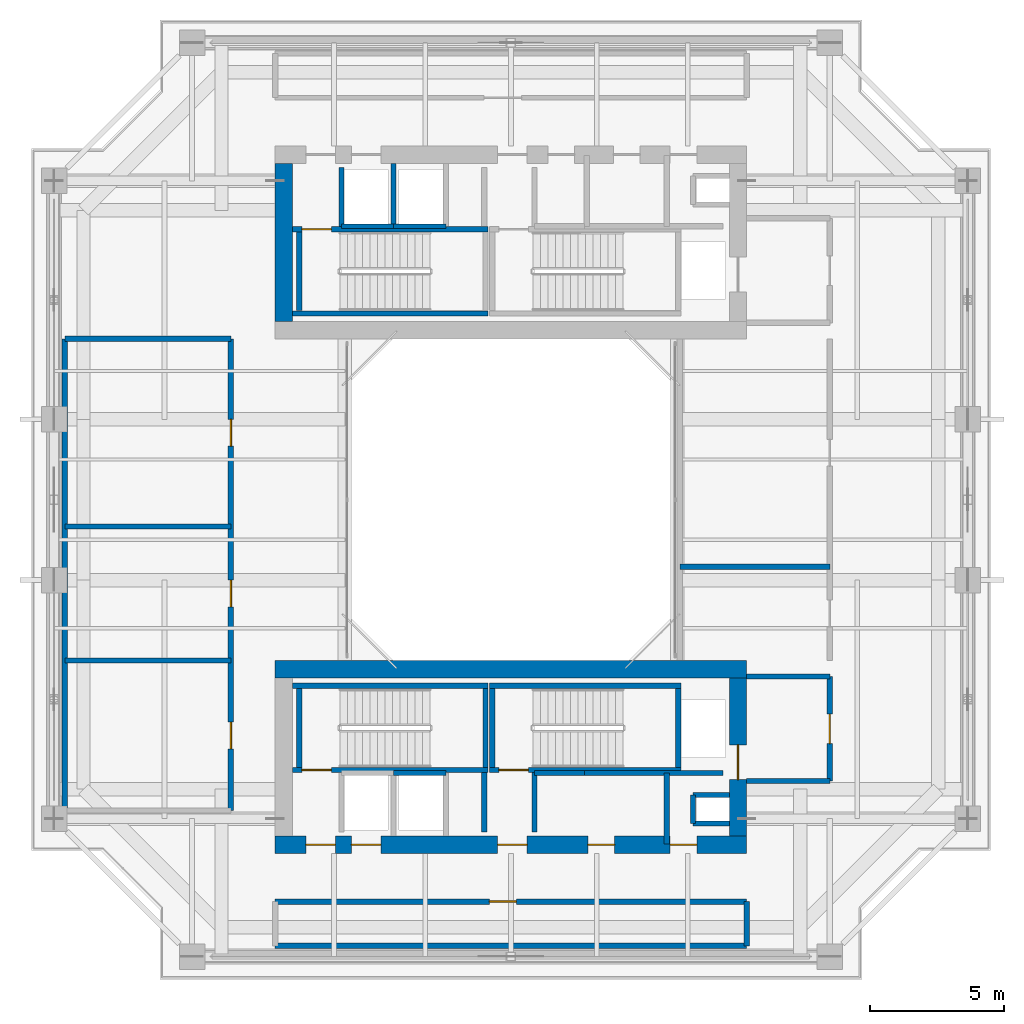
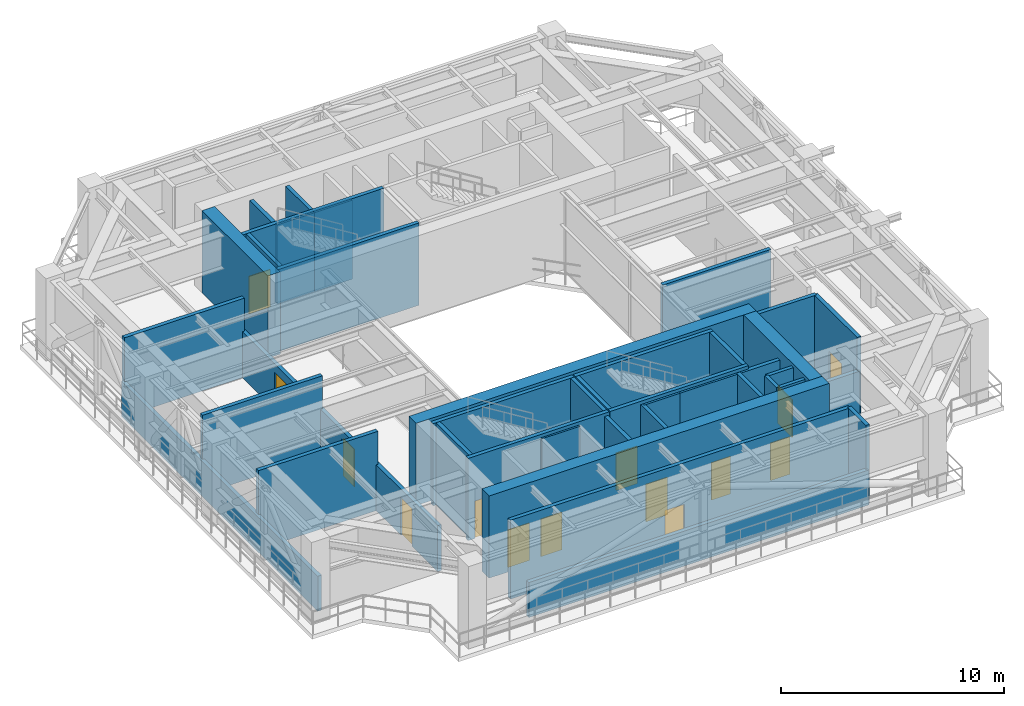
# One storey, part 6 of 11: 40 walls, 14 doors, 14 openings.
"""IFC4 building model written with IfcOpenShell, lengths in metres."""

from ifc_helpers import new_model, si_unit, direction, frame, frame_2d, origin, place, context, subcontext, project, spatial, rectangle, extrude, source, transform, mapped, material, layer, layer_set, type_object, element, fill, save


model = new_model("IFC4")

# Units and contexts
model_context = context("Model", 3, precision=1e-05, world=origin(), true_north=direction((0.0, 1.0)))
body_context = subcontext(model_context, "Body", "Model", "MODEL_VIEW")
ifc_project = project(units=[si_unit("LENGTHUNIT", "METRE"), si_unit("AREAUNIT", "SQUARE_METRE"), si_unit("VOLUMEUNIT", "CUBIC_METRE"), si_unit("PLANEANGLEUNIT", "RADIAN"), si_unit("MASSUNIT", "GRAM", prefix="KILO"), si_unit("THERMODYNAMICTEMPERATUREUNIT", "KELVIN"), si_unit("POWERUNIT", "WATT")], contexts=[model_context])

# Site, building, storey
site_placement = place(None, origin())
site = spatial("IfcSite", under=ifc_project, at=site_placement, CompositionType="ELEMENT")
building_placement = place(site_placement, origin())
building = spatial("IfcBuilding", under=site, at=building_placement, Name="Qiaomeng Ring Towers", CompositionType="ELEMENT")
storey_placement = place(building_placement, frame((0.0, 0.0, 186.0)))
storey = spatial("IfcBuildingStorey", under=building, at=storey_placement, Name="L54", CompositionType="ELEMENT", Elevation=186.0)

# Walls
ifc_material_1 = material(Name="Autoclaved aerated concrete block", Category="concrete")
ifc_layer_1 = layer(ifc_material_1, 0.199951171875, Name="Autoclaved aerated concrete block")
ifc_layer_set_1 = layer_set([ifc_layer_1], Name="Autoclaved aerated concrete block")
wall_type_1 = type_object("IfcWallType", Name="ARC-WL-PW1", PredefinedType="PARTITIONING", material=ifc_layer_set_1)
wall_1_placement = place(storey_placement, frame((27.800048828125, 16.39990234375, 0.0), z_axis=(0.0, 0.0, 1.0), x_axis=(1.0, 0.0, 0.0)))
element("IfcWall", 1, at=wall_1_placement, inside=storey, type_object=wall_type_1, Name="L54 Interior Wall PW1", PredefinedType="PARTITIONING", context=body_context, shape_type="SweptSolid", body=[
    extrude(rectangle(XDim=3.099853515625, YDim=0.199951171875, at=frame_2d((1.5498046875, 0.0))), origin(), (0.0, 0.0, 1.0), 4.320068359375),
])
wall_2_placement = place(storey_placement, frame((27.800048828125, 12.5, 0.0), z_axis=(0.0, 0.0, 1.0), x_axis=(1.0, 0.0, 0.0)))
element("IfcWall", 2, at=wall_2_placement, inside=storey, type_object=wall_type_1, Name="L54 Interior Wall PW1", PredefinedType="PARTITIONING", context=body_context, shape_type="SweptSolid", body=[
    extrude(rectangle(XDim=3.099853515625, YDim=0.199951171875, at=frame_2d((1.5498046875, 0.0))), origin(), (0.0, 0.0, 1.0), 2.514892578125),
])

# Wall, opening, door
wall_3_placement = place(storey_placement, frame((30.89990234375, 12.5, 0.0), z_axis=(0.0, 0.0, 1.0), x_axis=(0.0, 1.0, 0.0)))
wall_3 = element("IfcWall", 3, at=wall_3_placement, inside=storey, type_object=wall_type_1, Name="L54 Interior Wall PW1", PredefinedType="PARTITIONING", context=body_context, shape_type="SweptSolid", body=[
    extrude(rectangle(XDim=3.89990234375, YDim=0.199951171875, at=frame_2d((1.949951171875, 0.0))), origin(), (0.0, 0.0, 1.0), 4.320068359375),
])
opening_1_placement = place(wall_3_placement, frame((1.39990234375, 0.0, 0.0)))
opening_1 = element("IfcOpeningElement", 4, at=opening_1_placement, cuts=wall_3, Name="Opening FD3", PredefinedType="OPENING", context=body_context, shape_type="SweptSolid", body=[
    extrude(rectangle(XDim=1.10009765625, YDim=2.050048828125, at=frame_2d((0.550048828125, 1.02490234375))), frame((0.0, 0.10986328125, 0.0), z_axis=(0.0, -1.0, 0.0), x_axis=(1.0, 0.0, 0.0)), (0.0, 0.0, 1.0), 0.219970703125),
])
ifc_material_2 = material(Name="Galvanised steel", Category="steel")
door_type_1 = type_object("IfcDoorType", Name="ARC-DR-FD3", OperationType="NOTDEFINED", PredefinedType="DOOR", material=ifc_material_2)
shared_shape_1 = source(origin(), body_context, "Body", "SweptSolid", [
    extrude(rectangle(XDim=1.10009765625, YDim=2.050048828125, at=frame_2d((0.550048828125, 1.02490234375))), frame((0.0, 0.02490234375, 0.0), z_axis=(0.0, -1.0, 0.0), x_axis=(1.0, 0.0, 0.0)), (0.0, 0.0, 1.0), 0.050048828125),
])
door_1_placement = place(opening_1_placement, origin())
door_1 = element("IfcDoor", 5, at=door_1_placement, inside=storey, type_object=door_type_1, Name="L54 South FF Lobby Door", OperationType="SINGLE_SWING_RIGHT", OverallHeight=2.050048828125, OverallWidth=1.10009765625, PredefinedType="DOOR", context=body_context, shape_type="MappedRepresentation", body=[
    mapped(shared_shape_1, transform((0.0, 0.0, 0.0), x_axis=(1.0, 0.0, 0.0), y_axis=(0.0, 1.0, 0.0), z_axis=(0.0, 0.0, 1.0), scale=1.0)),
])
fill(opening_1, door_1)

# Walls
for number, where, z_axis, x_axis, name in (
    (6, (12.679931640625, 33.18994140625, 0.0), (0.0, 0.0, 1.0), (0.0, 1.0, 0.0), "L54 Interior Wall PW1"),
    (7, (18.0, 10.60009765625, 0.0), (0.0, 0.0, 1.0), (0.0, 1.0, 0.0), "L54 Interior Wall PW1"),
    (8, (19.8798828125, 10.60009765625, 0.0), (0.0, 0.0, 1.0), (0.0, 1.0, 0.0), "L54 Interior Wall PW1"),
):
    element("IfcWall", number, at=place(storey_placement, frame(where, z_axis=z_axis, x_axis=x_axis)), inside=storey, type_object=wall_type_1, Name=name, PredefinedType="PARTITIONING", context=body_context, shape_type="SweptSolid", body=[
        extrude(rectangle(XDim=2.2099609375, YDim=0.199951171875, at=frame_2d((1.10498046875, 0.0))), origin(), (0.0, 0.0, 1.0), 4.320068359375),
    ])
wall_4_placement = place(storey_placement, frame((24.820068359375, 10.14990234375, 0.0), z_axis=(0.0, 0.0, 1.0), x_axis=(0.0, 1.0, 0.0)))
element("IfcWall", 9, at=wall_4_placement, inside=storey, type_object=wall_type_1, Name="L54 Interior Wall PW1", PredefinedType="PARTITIONING", context=body_context, shape_type="SweptSolid", body=[
    extrude(rectangle(XDim=2.650146484375, YDim=0.199951171875, at=frame_2d((1.3251953125, 0.0))), origin(), (0.0, 0.0, 1.0), 4.320068359375),
])
wall_5_placement = place(storey_placement, frame((19.8798828125, 12.800048828125, 0.0), z_axis=(0.0, 0.0, 1.0), x_axis=(1.0, 0.0, 0.0)))
element("IfcWall", 10, at=wall_5_placement, inside=storey, type_object=wall_type_1, Name="L54 Interior Wall PW1", PredefinedType="PARTITIONING", context=body_context, shape_type="SweptSolid", body=[
    extrude(rectangle(XDim=1.8701171875, YDim=0.199951171875, at=frame_2d((0.93505859375, 0.0))), origin(), (0.0, 0.0, 1.0), 4.320068359375),
])
wall_6_placement = place(storey_placement, frame((21.75, 12.800048828125, 0.0), z_axis=(0.0, 0.0, 1.0), x_axis=(1.0, 0.0, 0.0)))
element("IfcWall", 11, at=wall_6_placement, inside=storey, type_object=wall_type_1, Name="L54 Interior Wall PW1", PredefinedType="PARTITIONING", context=body_context, shape_type="SweptSolid", body=[
    extrude(rectangle(XDim=5.169921875, YDim=0.199951171875, at=frame_2d((2.5849609375, 0.0))), origin(), (0.0, 0.0, 1.0), 4.320068359375),
])

# Wall, opening, door
wall_7_placement = place(storey_placement, frame((10.199951171875, 8.0, 0.0), z_axis=(0.0, 0.0, 1.0), x_axis=(1.0, 0.0, 0.0)))
wall_7 = element("IfcWall", 12, at=wall_7_placement, inside=storey, type_object=wall_type_1, Name="L54 Interior Wall PW1", PredefinedType="PARTITIONING", context=body_context, shape_type="SweptSolid", body=[
    extrude(rectangle(XDim=17.60009765625, YDim=0.199951171875, at=frame_2d((8.800048828125, 0.0))), origin(), (0.0, 0.0, 1.0), 4.320068359375),
])
opening_2_placement = place(wall_7_placement, frame((8.0, 0.0, 0.0)))
opening_2 = element("IfcOpeningElement", 13, at=opening_2_placement, cuts=wall_7, Name="Opening FD1", PredefinedType="OPENING", context=body_context, shape_type="SweptSolid", body=[
    extrude(rectangle(XDim=1.0, YDim=2.050048828125, at=frame_2d((0.5, 1.02490234375))), frame((0.0, 0.10986328125, 0.0), z_axis=(0.0, -1.0, 0.0), x_axis=(1.0, 0.0, 0.0)), (0.0, 0.0, 1.0), 0.219970703125),
])
door_type_2 = type_object("IfcDoorType", Name="ARC-DR-FD1", OperationType="NOTDEFINED", PredefinedType="DOOR", material=ifc_material_2)
shared_shape_2 = source(origin(), body_context, "Body", "SweptSolid", [
    extrude(rectangle(XDim=1.0, YDim=2.050048828125, at=frame_2d((0.5, 1.02490234375))), frame((0.0, 0.02490234375, 0.0), z_axis=(0.0, -1.0, 0.0), x_axis=(1.0, 0.0, 0.0)), (0.0, 0.0, 1.0), 0.050048828125),
])
door_2_placement = place(opening_2_placement, origin())
door_2 = element("IfcDoor", 14, at=door_2_placement, inside=storey, type_object=door_type_2, Name="L54 Door FD1", OperationType="SINGLE_SWING_LEFT", OverallHeight=2.050048828125, OverallWidth=1.0, PredefinedType="DOOR", context=body_context, shape_type="MappedRepresentation", body=[
    mapped(shared_shape_2, transform((0.0, 0.0, 0.0), x_axis=(1.0, 0.0, 0.0), y_axis=(0.0, 1.0, 0.0), z_axis=(0.0, 0.0, 1.0), scale=1.0)),
])
fill(opening_2, door_2)

# Wall, openings, doors
wall_8_placement = place(storey_placement, frame((8.550048828125, 11.39990234375, 0.0), z_axis=(0.0, 0.0, 1.0), x_axis=(0.0, 1.0, 0.0)))
wall_8 = element("IfcWall", 15, at=wall_8_placement, inside=storey, type_object=wall_type_1, Name="L54 Interior Wall PW1", PredefinedType="PARTITIONING", context=body_context, shape_type="SweptSolid", body=[
    extrude(rectangle(XDim=17.60009765625, YDim=0.199951171875, at=frame_2d((8.800048828125, 0.0))), origin(), (0.0, 0.0, 1.0), 2.514892578125),
])
opening_3_placement = place(wall_8_placement, frame((7.60009765625, 0.0, 0.0)))
opening_3 = element("IfcOpeningElement", 16, at=opening_3_placement, cuts=wall_8, Name="Opening FD1", PredefinedType="OPENING", context=body_context, shape_type="SweptSolid", body=[
    extrude(rectangle(XDim=1.0, YDim=2.050048828125, at=frame_2d((0.5, 1.02490234375))), frame((0.0, 0.10986328125, 0.0), z_axis=(0.0, -1.0, 0.0), x_axis=(1.0, 0.0, 0.0)), (0.0, 0.0, 1.0), 0.219970703125),
])
opening_4_placement = place(wall_8_placement, frame((13.60009765625, 0.0, 0.0)))
opening_4 = element("IfcOpeningElement", 17, at=opening_4_placement, cuts=wall_8, Name="Opening FD1", PredefinedType="OPENING", context=body_context, shape_type="SweptSolid", body=[
    extrude(rectangle(XDim=1.0, YDim=2.050048828125, at=frame_2d((0.5, 1.02490234375))), frame((0.0, 0.10986328125, 0.0), z_axis=(0.0, -1.0, 0.0), x_axis=(1.0, 0.0, 0.0)), (0.0, 0.0, 1.0), 0.219970703125),
])
opening_5_placement = place(wall_8_placement, frame((2.300048828125, 0.0, 0.0)))
opening_5 = element("IfcOpeningElement", 18, at=opening_5_placement, cuts=wall_8, Name="Opening FD1", PredefinedType="OPENING", context=body_context, shape_type="SweptSolid", body=[
    extrude(rectangle(XDim=1.0, YDim=2.050048828125, at=frame_2d((0.5, 1.02490234375))), frame((0.0, 0.10986328125, 0.0), z_axis=(0.0, -1.0, 0.0), x_axis=(1.0, 0.0, 0.0)), (0.0, 0.0, 1.0), 0.219970703125),
])
door_3_placement = place(opening_3_placement, origin())
door_3 = element("IfcDoor", 19, at=door_3_placement, inside=storey, type_object=door_type_2, Name="L54 Door FD1", OperationType="SINGLE_SWING_RIGHT", OverallHeight=2.050048828125, OverallWidth=1.0, PredefinedType="DOOR", context=body_context, shape_type="MappedRepresentation", body=[
    mapped(shared_shape_2, transform((0.0, 0.0, 0.0), x_axis=(1.0, 0.0, 0.0), y_axis=(0.0, 1.0, 0.0), z_axis=(0.0, 0.0, 1.0), scale=1.0)),
])
fill(opening_3, door_3)
door_4_placement = place(opening_4_placement, origin())
door_4 = element("IfcDoor", 20, at=door_4_placement, inside=storey, type_object=door_type_2, Name="L54 Door FD1", OperationType="SINGLE_SWING_LEFT", OverallHeight=2.050048828125, OverallWidth=1.0, PredefinedType="DOOR", context=body_context, shape_type="MappedRepresentation", body=[
    mapped(shared_shape_2, transform((0.0, 0.0, 0.0), x_axis=(1.0, 0.0, 0.0), y_axis=(0.0, 1.0, 0.0), z_axis=(0.0, 0.0, 1.0), scale=1.0)),
])
fill(opening_4, door_4)
door_5_placement = place(opening_5_placement, origin())
door_5 = element("IfcDoor", 21, at=door_5_placement, inside=storey, type_object=door_type_2, Name="L54 Door FD1", OperationType="SINGLE_SWING_RIGHT", OverallHeight=2.050048828125, OverallWidth=1.0, PredefinedType="DOOR", context=body_context, shape_type="MappedRepresentation", body=[
    mapped(shared_shape_2, transform((0.0, 0.0, 0.0), x_axis=(1.0, 0.0, 0.0), y_axis=(0.0, 1.0, 0.0), z_axis=(0.0, 0.0, 1.0), scale=1.0)),
])
fill(opening_5, door_5)

# Walls
for number, where, z_axis, x_axis, name in (
    (22, (2.35009765625, 17.0, 0.0), (0.0, 0.0, 1.0), (1.0, 0.0, 0.0), "L54 Interior Wall PW1"),
    (23, (2.35009765625, 22.0, 0.0), (0.0, 0.0, 1.0), (1.0, 0.0, 0.0), "L54 Interior Wall PW1"),
    (24, (2.35009765625, 29.0, 0.0), (0.0, 0.0, 1.0), (1.0, 0.0, 0.0), "L54 Interior Wall PW1"),
):
    element("IfcWall", number, at=place(storey_placement, frame(where, z_axis=z_axis, x_axis=x_axis)), inside=storey, type_object=wall_type_1, Name=name, PredefinedType="PARTITIONING", context=body_context, shape_type="SweptSolid", body=[
        extrude(rectangle(XDim=6.199951171875, YDim=0.199951171875, at=frame_2d((3.10009765625, 0.0))), origin(), (0.0, 0.0, 1.0), 4.320068359375),
    ])
wall_9_placement = place(storey_placement, frame((2.35009765625, 11.39990234375, 0.0), z_axis=(0.0, 0.0, 1.0), x_axis=(0.0, 1.0, 0.0)))
element("IfcWall", 25, at=wall_9_placement, inside=storey, type_object=wall_type_1, Name="L54 Interior Wall PW1", PredefinedType="PARTITIONING", context=body_context, shape_type="SweptSolid", body=[
    extrude(rectangle(XDim=17.60009765625, YDim=0.199951171875, at=frame_2d((8.800048828125, 0.0))), origin(), (0.0, 0.0, 1.0), 1.9150390625),
])
wall_10_placement = place(storey_placement, frame((27.800048828125, 6.35009765625, 0.0), z_axis=(0.0, 0.0, 1.0), x_axis=(0.0, 1.0, 0.0)))
element("IfcWall", 26, at=wall_10_placement, inside=storey, type_object=wall_type_1, Name="L54 Interior Wall PW1", PredefinedType="PARTITIONING", context=body_context, shape_type="SweptSolid", body=[
    extrude(rectangle(XDim=1.64990234375, YDim=0.199951171875, at=frame_2d((0.824951171875, 0.0))), origin(), (0.0, 0.0, 1.0), 4.320068359375),
])
wall_11_placement = place(storey_placement, frame((10.199951171875, 6.35009765625, 0.0), z_axis=(0.0, 0.0, 1.0), x_axis=(1.0, 0.0, 0.0)))
element("IfcWall", 27, at=wall_11_placement, inside=storey, type_object=wall_type_1, Name="L54 Interior Wall PW1", PredefinedType="PARTITIONING", context=body_context, shape_type="SweptSolid", body=[
    extrude(rectangle(XDim=17.60009765625, YDim=0.199951171875, at=frame_2d((8.800048828125, 0.0))), origin(), (0.0, 0.0, 1.0), 1.9150390625),
])
wall_12_placement = place(storey_placement, frame((25.300048828125, 20.5, 0.0), z_axis=(0.0, 0.0, 1.0), x_axis=(1.0, 0.0, 0.0)))
element("IfcWall", 28, at=wall_12_placement, inside=storey, type_object=wall_type_1, Name="L54 Interior Wall PW1", PredefinedType="PARTITIONING", context=body_context, shape_type="SweptSolid", body=[
    extrude(rectangle(XDim=5.599853515625, YDim=0.199951171875, at=frame_2d((2.7998046875, 0.0))), origin(), (0.0, 0.0, 1.0), 4.320068359375),
])
ifc_material_3 = material(Name="Concrete C40", Category="concrete")
ifc_layer_2 = layer(ifc_material_3, 0.199951171875, Name="Concrete C40")
ifc_layer_set_2 = layer_set([ifc_layer_2], Name="Concrete C40")
wall_type_2 = type_object("IfcWallType", Name="STR-WL-STSHAFT", PredefinedType="SHEAR", material=ifc_layer_set_2)
wall_13_placement = place(storey_placement, frame((12.679931640625, 33.199951171875, 0.0), z_axis=(0.0, 0.0, 1.0), x_axis=(1.0, 0.0, 0.0)))
element("IfcWall", 29, at=wall_13_placement, inside=storey, type_object=wall_type_2, Name="L54 Lift LP5 Shaft Back Wall", PredefinedType="SHEAR", context=body_context, shape_type="SweptSolid", body=[
    extrude(rectangle(XDim=1.940185546875, YDim=0.179931640625, at=frame_2d((0.97021484375, 0.0))), origin(), (0.0, 0.0, 1.0), 4.320068359375),
])
wall_14_placement = place(storey_placement, frame((14.6201171875, 33.199951171875, 0.0), z_axis=(0.0, 0.0, 1.0), x_axis=(0.0, 1.0, 0.0)))
element("IfcWall", 30, at=wall_14_placement, inside=storey, type_object=wall_type_2, Name="L54 Lift LP5-LP3 Shaft Divider Wall", PredefinedType="SHEAR", context=body_context, shape_type="SweptSolid", body=[
    extrude(rectangle(XDim=2.35009765625, YDim=0.179931640625, at=frame_2d((1.175048828125, 0.0))), origin(), (0.0, 0.0, 1.0), 4.320068359375),
])
wall_15_placement = place(storey_placement, frame((25.800048828125, 10.919921875, 0.0), z_axis=(0.0, 0.0, 1.0), x_axis=(0.0, 1.0, 0.0)))
element("IfcWall", 31, at=wall_15_placement, inside=storey, type_object=wall_type_2, Name="L54 Riser RSR1 West Shaft Wall S", PredefinedType="SHEAR", context=body_context, shape_type="SweptSolid", body=[
    extrude(rectangle(XDim=1.06005859375, YDim=0.179931640625, at=frame_2d((0.530029296875, 0.0))), origin(), (0.0, 0.0, 1.0), 4.320068359375),
])
for number, where, z_axis, x_axis, name in (
    (32, (25.800048828125, 11.97998046875, 0.0), (0.0, 0.0, 1.0), (1.0, 0.0, 0.0), "L54 Riser RSR1 North Shaft Wall S"),
    (33, (25.800048828125, 10.919921875, 0.0), (0.0, 0.0, 1.0), (1.0, 0.0, 0.0), "L54 Riser RSR1 South Shaft Wall S"),
):
    element("IfcWall", number, at=place(storey_placement, frame(where, z_axis=z_axis, x_axis=x_axis)), inside=storey, type_object=wall_type_2, Name=name, PredefinedType="SHEAR", context=body_context, shape_type="SweptSolid", body=[
        extrude(rectangle(XDim=1.349853515625, YDim=0.179931640625, at=frame_2d((0.6748046875, 0.0))), origin(), (0.0, 0.0, 1.0), 4.320068359375),
    ])
for number, where, z_axis, x_axis, name in (
    (34, (14.6201171875, 33.199951171875, 0.0), (0.0, 0.0, 1.0), (1.0, 0.0, 0.0), "L54 Lift LP3 Shaft Back Wall"),
    (35, (14.6201171875, 12.800048828125, 0.0), (0.0, 0.0, 1.0), (1.0, 0.0, 0.0), "L54 Lift LP4 Shaft Back Wall"),
):
    element("IfcWall", number, at=place(storey_placement, frame(where, z_axis=z_axis, x_axis=x_axis)), inside=storey, type_object=wall_type_2, Name=name, PredefinedType="SHEAR", context=body_context, shape_type="SweptSolid", body=[
        extrude(rectangle(XDim=1.9599609375, YDim=0.179931640625, at=frame_2d((0.97998046875, 0.0))), origin(), (0.0, 0.0, 1.0), 4.320068359375),
    ])
wall_16_placement = place(storey_placement, frame((10.85009765625, 29.949951171875, 0.0), z_axis=(0.0, 0.0, 1.0), x_axis=(1.0, 0.0, 0.0)))
element("IfcWall", 36, at=wall_16_placement, inside=storey, type_object=wall_type_2, Name="L54 Stair ST1 South Shaft Shear Wall", PredefinedType="SHEAR", context=body_context, shape_type="SweptSolid", body=[
    extrude(rectangle(XDim=7.2998046875, YDim=0.199951171875, at=frame_2d((3.64990234375, 0.0))), origin(), (0.0, 0.0, 1.0), 4.5),
])

# Wall, opening, door
wall_17_placement = place(storey_placement, frame((10.85009765625, 33.090087890625, 0.0), z_axis=(0.0, 0.0, 1.0), x_axis=(1.0, 0.0, 0.0)))
wall_17 = element("IfcWall", 37, at=wall_17_placement, inside=storey, type_object=wall_type_2, Name="L54 Stair ST1 North Shaft Shear Wall", PredefinedType="SHEAR", context=body_context, shape_type="SweptSolid", body=[
    extrude(rectangle(XDim=7.2998046875, YDim=0.199951171875, at=frame_2d((3.64990234375, 0.0))), origin(), (0.0, 0.0, 1.0), 4.5),
])
opening_6_placement = place(wall_17_placement, frame((0.35009765625, 0.0, 0.0)))
opening_6 = element("IfcOpeningElement", 38, at=opening_6_placement, cuts=wall_17, Name="Opening FD3", PredefinedType="OPENING", context=body_context, shape_type="SweptSolid", body=[
    extrude(rectangle(XDim=1.10009765625, YDim=2.050048828125, at=frame_2d((0.550048828125, 1.02490234375))), frame((0.0, 0.10986328125, 0.0), z_axis=(0.0, -1.0, 0.0), x_axis=(1.0, 0.0, 0.0)), (0.0, 0.0, 1.0), 0.219970703125),
])
door_6_placement = place(opening_6_placement, origin())
door_6 = element("IfcDoor", 39, at=door_6_placement, inside=storey, type_object=door_type_1, Name="L54 Stair ST1 Exit Door", OperationType="SINGLE_SWING_RIGHT", OverallHeight=2.050048828125, OverallWidth=1.10009765625, PredefinedType="DOOR", context=body_context, shape_type="MappedRepresentation", body=[
    mapped(shared_shape_1, transform((0.0, 0.0, 0.0), x_axis=(1.0, 0.0, 0.0), y_axis=(0.0, 1.0, 0.0), z_axis=(0.0, 0.0, 1.0), scale=1.0)),
])
fill(opening_6, door_6)

# Wall
wall_18_placement = place(storey_placement, frame((11.10009765625, 30.050048828125, 0.0), z_axis=(0.0, 0.0, 1.0), x_axis=(0.0, 1.0, 0.0)))
element("IfcWall", 40, at=wall_18_placement, inside=storey, type_object=wall_type_2, Name="L54 Stair ST1 West Shaft Shear Wall", PredefinedType="SHEAR", context=body_context, shape_type="SweptSolid", body=[
    extrude(rectangle(XDim=2.93994140625, YDim=0.199951171875, at=frame_2d((1.469970703125, 0.0))), origin(), (0.0, 0.0, 1.0), 4.5),
])

# Wall, opening, door
wall_19_placement = place(storey_placement, frame((10.85009765625, 12.909912109375, 0.0), z_axis=(0.0, 0.0, 1.0), x_axis=(1.0, 0.0, 0.0)))
wall_19 = element("IfcWall", 41, at=wall_19_placement, inside=storey, type_object=wall_type_2, Name="L54 Stair ST3 South Shaft Shear Wall", PredefinedType="SHEAR", context=body_context, shape_type="SweptSolid", body=[
    extrude(rectangle(XDim=7.2998046875, YDim=0.199951171875, at=frame_2d((3.64990234375, 0.0))), origin(), (0.0, 0.0, 1.0), 4.5),
])
opening_7_placement = place(wall_19_placement, frame((0.35009765625, 0.0, 0.0)))
opening_7 = element("IfcOpeningElement", 42, at=opening_7_placement, cuts=wall_19, Name="Opening FD3", PredefinedType="OPENING", context=body_context, shape_type="SweptSolid", body=[
    extrude(rectangle(XDim=1.10009765625, YDim=2.050048828125, at=frame_2d((0.550048828125, 1.02490234375))), frame((0.0, 0.10986328125, 0.0), z_axis=(0.0, -1.0, 0.0), x_axis=(1.0, 0.0, 0.0)), (0.0, 0.0, 1.0), 0.219970703125),
])
door_7_placement = place(opening_7_placement, frame((1.10009765625, 0.0, 0.0), z_axis=(0.0, 0.0, 1.0), x_axis=(-1.0, 0.0, 0.0)))
door_7 = element("IfcDoor", 43, at=door_7_placement, inside=storey, type_object=door_type_1, Name="L54 Stair ST3 Exit Door", OperationType="SINGLE_SWING_RIGHT", OverallHeight=2.050048828125, OverallWidth=1.10009765625, PredefinedType="DOOR", context=body_context, shape_type="MappedRepresentation", body=[
    mapped(shared_shape_1, transform((0.0, 0.0, 0.0), x_axis=(1.0, 0.0, 0.0), y_axis=(0.0, 1.0, 0.0), z_axis=(0.0, 0.0, 1.0), scale=1.0)),
])
fill(opening_7, door_7)

# Walls
wall_20_placement = place(storey_placement, frame((10.85009765625, 16.050048828125, 0.0), z_axis=(0.0, 0.0, 1.0), x_axis=(1.0, 0.0, 0.0)))
element("IfcWall", 44, at=wall_20_placement, inside=storey, type_object=wall_type_2, Name="L54 Stair ST3 North Shaft Shear Wall", PredefinedType="SHEAR", context=body_context, shape_type="SweptSolid", body=[
    extrude(rectangle(XDim=7.2998046875, YDim=0.199951171875, at=frame_2d((3.64990234375, 0.0))), origin(), (0.0, 0.0, 1.0), 4.5),
])
for number, where, z_axis, x_axis, name in (
    (45, (11.10009765625, 13.010009765625, 0.0), (0.0, 0.0, 1.0), (0.0, 1.0, 0.0), "L54 Stair ST3 West Shaft Shear Wall"),
    (46, (18.050048828125, 13.010009765625, 0.0), (0.0, 0.0, 1.0), (0.0, 1.0, 0.0), "L54 Stair ST3 East Shaft Shear Wall"),
):
    element("IfcWall", number, at=place(storey_placement, frame(where, z_axis=z_axis, x_axis=x_axis)), inside=storey, type_object=wall_type_2, Name=name, PredefinedType="SHEAR", context=body_context, shape_type="SweptSolid", body=[
        extrude(rectangle(XDim=2.93994140625, YDim=0.199951171875, at=frame_2d((1.469970703125, 0.0))), origin(), (0.0, 0.0, 1.0), 4.5),
    ])

# Wall, opening, door
wall_21_placement = place(storey_placement, frame((18.199951171875, 12.909912109375, 0.0), z_axis=(0.0, 0.0, 1.0), x_axis=(1.0, 0.0, 0.0)))
wall_21 = element("IfcWall", 47, at=wall_21_placement, inside=storey, type_object=wall_type_2, Name="L54 Stair ST4 South Shaft Shear Wall", PredefinedType="SHEAR", context=body_context, shape_type="SweptSolid", body=[
    extrude(rectangle(XDim=7.150146484375, YDim=0.199951171875, at=frame_2d((3.5751953125, 0.0))), origin(), (0.0, 0.0, 1.0), 4.5),
])
opening_8_placement = place(wall_21_placement, frame((0.35009765625, 0.0, 0.0)))
opening_8 = element("IfcOpeningElement", 48, at=opening_8_placement, cuts=wall_21, Name="Opening FD3", PredefinedType="OPENING", context=body_context, shape_type="SweptSolid", body=[
    extrude(rectangle(XDim=1.10009765625, YDim=2.050048828125, at=frame_2d((0.550048828125, 1.02490234375))), frame((0.0, 0.10986328125, 0.0), z_axis=(0.0, -1.0, 0.0), x_axis=(1.0, 0.0, 0.0)), (0.0, 0.0, 1.0), 0.219970703125),
])
door_8_placement = place(opening_8_placement, frame((1.10009765625, 0.0, 0.0), z_axis=(0.0, 0.0, 1.0), x_axis=(-1.0, 0.0, 0.0)))
door_8 = element("IfcDoor", 49, at=door_8_placement, inside=storey, type_object=door_type_1, Name="L54 Stair ST4 Exit Door", OperationType="SINGLE_SWING_RIGHT", OverallHeight=2.050048828125, OverallWidth=1.10009765625, PredefinedType="DOOR", context=body_context, shape_type="MappedRepresentation", body=[
    mapped(shared_shape_1, transform((0.0, 0.0, 0.0), x_axis=(1.0, 0.0, 0.0), y_axis=(0.0, 1.0, 0.0), z_axis=(0.0, 0.0, 1.0), scale=1.0)),
])
fill(opening_8, door_8)

# Walls
wall_22_placement = place(storey_placement, frame((18.199951171875, 16.050048828125, 0.0), z_axis=(0.0, 0.0, 1.0), x_axis=(1.0, 0.0, 0.0)))
element("IfcWall", 50, at=wall_22_placement, inside=storey, type_object=wall_type_2, Name="L54 Stair ST4 North Shaft Shear Wall", PredefinedType="SHEAR", context=body_context, shape_type="SweptSolid", body=[
    extrude(rectangle(XDim=7.150146484375, YDim=0.199951171875, at=frame_2d((3.5751953125, 0.0))), origin(), (0.0, 0.0, 1.0), 4.5),
])
for number, where, z_axis, x_axis, name in (
    (51, (18.300048828125, 13.010009765625, 0.0), (0.0, 0.0, 1.0), (0.0, 1.0, 0.0), "L54 Stair ST4 West Shaft Shear Wall"),
    (52, (25.25, 13.010009765625, 0.0), (0.0, 0.0, 1.0), (0.0, 1.0, 0.0), "L54 Stair ST4 East Shaft Shear Wall"),
):
    element("IfcWall", number, at=place(storey_placement, frame(where, z_axis=z_axis, x_axis=x_axis)), inside=storey, type_object=wall_type_2, Name=name, PredefinedType="SHEAR", context=body_context, shape_type="SweptSolid", body=[
        extrude(rectangle(XDim=2.93994140625, YDim=0.199951171875, at=frame_2d((1.469970703125, 0.0))), origin(), (0.0, 0.0, 1.0), 4.5),
    ])
ifc_material_4 = material(Name="Concrete C50", Category="concrete")
ifc_layer_3 = layer(ifc_material_4, 0.64990234375, Name="Concrete C50")
ifc_layer_set_3 = layer_set([ifc_layer_3], Name="Concrete C50")
wall_type_3 = type_object("IfcWallType", Name="STR-WL-SW2B", PredefinedType="SHEAR", material=ifc_layer_set_3)
wall_23_placement = place(storey_placement, frame((10.52490234375, 29.64990234375, 0.0), z_axis=(0.0, 0.0, 1.0), x_axis=(0.0, 1.0, 0.0)))
element("IfcWall", 53, at=wall_23_placement, inside=storey, type_object=wall_type_3, Name="L54 T1NC west core shear wall", PredefinedType="SHEAR", context=body_context, shape_type="SweptSolid", body=[
    extrude(rectangle(XDim=5.900146484375, YDim=0.64990234375, at=frame_2d((2.9501953125, 0.0))), origin(), (0.0, 0.0, 1.0), 4.5),
])

# Wall, openings, doors
wall_24_placement = place(storey_placement, frame((10.199951171875, 10.125, 0.0), z_axis=(0.0, 0.0, 1.0), x_axis=(1.0, 0.0, 0.0)))
wall_24 = element("IfcWall", 54, at=wall_24_placement, inside=storey, type_object=wall_type_3, Name="L54 T1SC south core shear wall", PredefinedType="SHEAR", context=body_context, shape_type="SweptSolid", body=[
    extrude(rectangle(XDim=17.60009765625, YDim=0.64990234375, at=frame_2d((8.800048828125, 0.0))), origin(), (0.0, 0.0, 1.0), 4.5),
])
opening_9_placement = place(wall_24_placement, frame((1.14990234375, 0.0, 0.0)))
opening_9 = element("IfcOpeningElement", 55, at=opening_9_placement, cuts=wall_24, Name="Opening FD3", PredefinedType="OPENING", context=body_context, shape_type="SweptSolid", body=[
    extrude(rectangle(XDim=1.10009765625, YDim=2.050048828125, at=frame_2d((0.550048828125, 1.02490234375))), frame((0.0, 0.3349609375, 0.0), z_axis=(0.0, -1.0, 0.0), x_axis=(1.0, 0.0, 0.0)), (0.0, 0.0, 1.0), 0.669921875),
])
opening_10_placement = place(wall_24_placement, frame((8.300048828125, 0.0, 0.0)))
opening_10 = element("IfcOpeningElement", 56, at=opening_10_placement, cuts=wall_24, Name="Opening FD3", PredefinedType="OPENING", context=body_context, shape_type="SweptSolid", body=[
    extrude(rectangle(XDim=1.10009765625, YDim=2.050048828125, at=frame_2d((0.550048828125, 1.02490234375))), frame((0.0, 0.3349609375, 0.0), z_axis=(0.0, -1.0, 0.0), x_axis=(1.0, 0.0, 0.0)), (0.0, 0.0, 1.0), 0.669921875),
])
opening_11_placement = place(wall_24_placement, frame((2.85009765625, 0.0, 0.0)))
opening_11 = element("IfcOpeningElement", 57, at=opening_11_placement, cuts=wall_24, Name="Opening LD1", PredefinedType="OPENING", context=body_context, shape_type="SweptSolid", body=[
    extrude(rectangle(XDim=1.10009765625, YDim=2.050048828125, at=frame_2d((0.550048828125, 1.02490234375))), frame((0.0, 0.3349609375, 0.0), z_axis=(0.0, -1.0, 0.0), x_axis=(1.0, 0.0, 0.0)), (0.0, 0.0, 1.0), 0.669921875),
])
opening_12_placement = place(wall_24_placement, frame((14.739990234375, 0.0, 0.0)))
opening_12 = element("IfcOpeningElement", 58, at=opening_12_placement, cuts=wall_24, Name="Opening FD1", PredefinedType="OPENING", context=body_context, shape_type="SweptSolid", body=[
    extrude(rectangle(XDim=1.0, YDim=2.050048828125, at=frame_2d((0.5, 1.02490234375))), frame((0.0, 0.3349609375, 0.0), z_axis=(0.0, -1.0, 0.0), x_axis=(1.0, 0.0, 0.0)), (0.0, 0.0, 1.0), 0.669921875),
])
opening_13_placement = place(wall_24_placement, frame((11.669921875, 0.0, 0.0)))
opening_13 = element("IfcOpeningElement", 59, at=opening_13_placement, cuts=wall_24, Name="Opening FD1", PredefinedType="OPENING", context=body_context, shape_type="SweptSolid", body=[
    extrude(rectangle(XDim=1.0, YDim=2.050048828125, at=frame_2d((0.5, 1.02490234375))), frame((0.0, 0.3349609375, 0.0), z_axis=(0.0, -1.0, 0.0), x_axis=(1.0, 0.0, 0.0)), (0.0, 0.0, 1.0), 0.669921875),
])
door_9_placement = place(opening_9_placement, origin())
door_9 = element("IfcDoor", 60, at=door_9_placement, inside=storey, type_object=door_type_1, Name="L54 Stair ST3 Lobby Door", OperationType="SINGLE_SWING_LEFT", OverallHeight=2.050048828125, OverallWidth=1.10009765625, PredefinedType="DOOR", context=body_context, shape_type="MappedRepresentation", body=[
    mapped(shared_shape_1, transform((0.0, 0.0, 0.0), x_axis=(1.0, 0.0, 0.0), y_axis=(0.0, 1.0, 0.0), z_axis=(0.0, 0.0, 1.0), scale=1.0)),
])
fill(opening_9, door_9)
door_10_placement = place(opening_10_placement, origin())
door_10 = element("IfcDoor", 61, at=door_10_placement, inside=storey, type_object=door_type_1, Name="L54 Stair ST4 Lobby Door", OperationType="SINGLE_SWING_LEFT", OverallHeight=2.050048828125, OverallWidth=1.10009765625, PredefinedType="DOOR", context=body_context, shape_type="MappedRepresentation", body=[
    mapped(shared_shape_1, transform((0.0, 0.0, 0.0), x_axis=(1.0, 0.0, 0.0), y_axis=(0.0, 1.0, 0.0), z_axis=(0.0, 0.0, 1.0), scale=1.0)),
])
fill(opening_10, door_10)
ifc_material_5 = material(Name="Stainless steel 316", Category="steel")
door_type_3 = type_object("IfcDoorType", Name="ARC-DR-LD1", OperationType="NOTDEFINED", PredefinedType="DOOR", material=ifc_material_5)
door_11_placement = place(opening_11_placement, origin())
door_11 = element("IfcDoor", 62, at=door_11_placement, inside=storey, type_object=door_type_3, Name="L54 High-Zone Lift LP6 Landing Door", OperationType="SLIDING_TO_RIGHT", OverallHeight=2.050048828125, OverallWidth=1.10009765625, PredefinedType="DOOR", context=body_context, shape_type="MappedRepresentation", body=[
    mapped(shared_shape_1, transform((0.0, 0.0, 0.0), x_axis=(1.0, 0.0, 0.0), y_axis=(0.0, 1.0, 0.0), z_axis=(0.0, 0.0, 1.0), scale=1.0)),
])
fill(opening_11, door_11)
door_12_placement = place(opening_12_placement, origin())
door_12 = element("IfcDoor", 63, at=door_12_placement, inside=storey, type_object=door_type_2, Name="L54 South Electrical Riser Door", OperationType="SINGLE_SWING_RIGHT", OverallHeight=2.050048828125, OverallWidth=1.0, PredefinedType="DOOR", context=body_context, shape_type="MappedRepresentation", body=[
    mapped(shared_shape_2, transform((0.0, 0.0, 0.0), x_axis=(1.0, 0.0, 0.0), y_axis=(0.0, 1.0, 0.0), z_axis=(0.0, 0.0, 1.0), scale=1.0)),
])
fill(opening_12, door_12)
door_13_placement = place(opening_13_placement, origin())
door_13 = element("IfcDoor", 64, at=door_13_placement, inside=storey, type_object=door_type_2, Name="L54 South Ventilation Plant Room Door", OperationType="SINGLE_SWING_LEFT", OverallHeight=2.050048828125, OverallWidth=1.0, PredefinedType="DOOR", context=body_context, shape_type="MappedRepresentation", body=[
    mapped(shared_shape_2, transform((0.0, 0.0, 0.0), x_axis=(1.0, 0.0, 0.0), y_axis=(0.0, 1.0, 0.0), z_axis=(0.0, 0.0, 1.0), scale=1.0)),
])
fill(opening_13, door_13)

# Wall
wall_25_placement = place(storey_placement, frame((10.199951171875, 16.675048828125, 0.0), z_axis=(0.0, 0.0, 1.0), x_axis=(1.0, 0.0, 0.0)))
element("IfcWall", 65, at=wall_25_placement, inside=storey, type_object=wall_type_3, Name="L54 T1SC north core shear wall", PredefinedType="SHEAR", context=body_context, shape_type="SweptSolid", body=[
    extrude(rectangle(XDim=17.60009765625, YDim=0.64990234375, at=frame_2d((8.800048828125, 0.0))), origin(), (0.0, 0.0, 1.0), 4.5),
])

# Wall, opening, door
wall_26_placement = place(storey_placement, frame((27.47509765625, 10.449951171875, 0.0), z_axis=(0.0, 0.0, 1.0), x_axis=(0.0, 1.0, 0.0)))
wall_26 = element("IfcWall", 66, at=wall_26_placement, inside=storey, type_object=wall_type_3, Name="L54 T1SC east core shear wall", PredefinedType="SHEAR", context=body_context, shape_type="SweptSolid", body=[
    extrude(rectangle(XDim=5.900146484375, YDim=0.64990234375, at=frame_2d((2.9501953125, 0.0))), origin(), (0.0, 0.0, 1.0), 4.5),
])
opening_14_placement = place(wall_26_placement, frame((2.10009765625, 0.0, 0.0)))
opening_14 = element("IfcOpeningElement", 67, at=opening_14_placement, cuts=wall_26, Name="Opening LD2", PredefinedType="OPENING", context=body_context, shape_type="SweptSolid", body=[
    extrude(rectangle(XDim=1.300048828125, YDim=2.050048828125, at=frame_2d((0.64990234375, 1.02490234375))), frame((0.0, 0.3349609375, 0.0), z_axis=(0.0, -1.0, 0.0), x_axis=(1.0, 0.0, 0.0)), (0.0, 0.0, 1.0), 0.669921875),
])
door_type_4 = type_object("IfcDoorType", Name="ARC-DR-LD2", OperationType="NOTDEFINED", PredefinedType="DOOR", material=ifc_material_5)
shared_shape_3 = source(origin(), body_context, "Body", "SweptSolid", [
    extrude(rectangle(XDim=1.300048828125, YDim=2.050048828125, at=frame_2d((0.64990234375, 1.02490234375))), frame((0.0, 0.02490234375, 0.0), z_axis=(0.0, -1.0, 0.0), x_axis=(1.0, 0.0, 0.0)), (0.0, 0.0, 1.0), 0.050048828125),
])
door_14_placement = place(opening_14_placement, origin())
door_14 = element("IfcDoor", 68, at=door_14_placement, inside=storey, type_object=door_type_4, Name="L54 Firefighting Lift FL2 Landing Door", OperationType="SLIDING_TO_RIGHT", OverallHeight=2.050048828125, OverallWidth=1.300048828125, PredefinedType="DOOR", context=body_context, shape_type="MappedRepresentation", body=[
    mapped(shared_shape_3, transform((0.0, 0.0, 0.0), x_axis=(1.0, 0.0, 0.0), y_axis=(0.0, 1.0, 0.0), z_axis=(0.0, 0.0, 1.0), scale=1.0)),
])
fill(opening_14, door_14)

save(model, "model.ifc")
